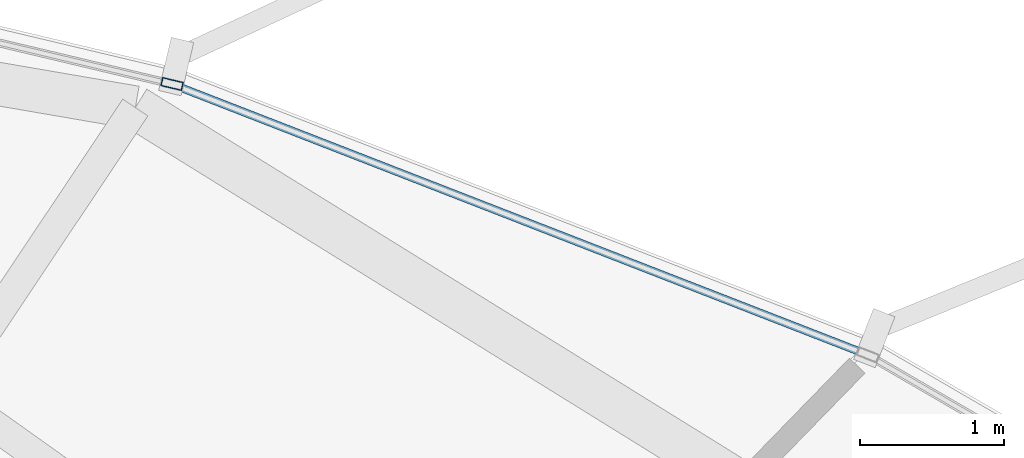
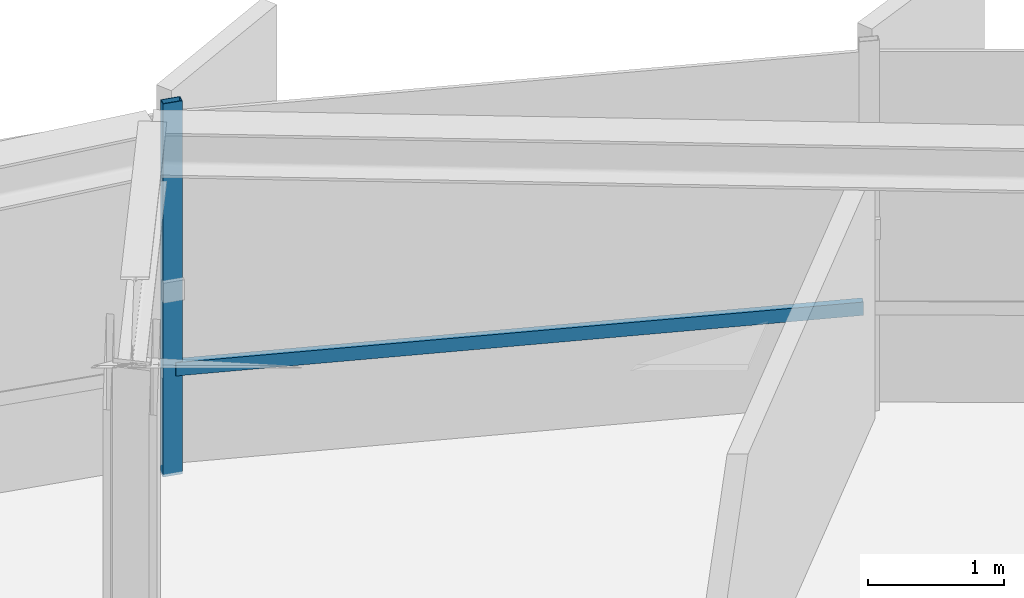
# One storey, part 24 of 35: 2 members, 1 element without a shape of its own.
"""IFC4 building model written with IfcOpenShell, lengths in metres."""

from ifc_helpers import new_model, si_unit, direction, frame, origin, origin_2d, place, context, subcontext, project, spatial, hollow_rectangle, extrude, source, transform, mapped, material, layer, layer_set, material_profile, profile_set, type_object, element, aggregate, save


model = new_model("IFC4")

# Units and contexts
model_context = context("Model", 3, precision=1e-05, world=origin(), true_north=direction((0.0, 1.0)))
body_context = subcontext(model_context, "Body", "Model", "MODEL_VIEW")
ifc_project = project(units=[si_unit("LENGTHUNIT", "METRE"), si_unit("AREAUNIT", "SQUARE_METRE"), si_unit("VOLUMEUNIT", "CUBIC_METRE"), si_unit("PLANEANGLEUNIT", "RADIAN"), si_unit("MASSUNIT", "GRAM", prefix="KILO"), si_unit("THERMODYNAMICTEMPERATUREUNIT", "KELVIN")], contexts=[model_context])

# Site, building, storey
site_placement = place(None, origin())
site = spatial("IfcSite", under=ifc_project, at=site_placement, CompositionType="ELEMENT")
building_placement = place(site_placement, origin())
building = spatial("IfcBuilding", under=site, at=building_placement, Name="Kethvar Cultural Tower", CompositionType="ELEMENT")
storey_placement = place(building_placement, frame((0.0, 0.0, 89.199951171875)))
storey = spatial("IfcBuildingStorey", under=building, at=storey_placement, Name="L21", CompositionType="ELEMENT", Elevation=89.199951171875)

# Curtain wall, members
ifc_material = material(Name="Aluminium 6063-T6", Category="aluminium")
ifc_layer = layer(ifc_material, 0.179931640625, Name="Aluminium 6063-T6", Category="aluminium")
ifc_layer_set = layer_set([ifc_layer], Name="Aluminium 6063-T6 (180 mm)")
curtain_wall_type = type_object("IfcCurtainWallType", Name="CW-SYS-03-Z2", PredefinedType="NOTDEFINED", material=ifc_layer_set)
curtain_wall_placement = place(storey_placement, origin())
curtain_wall = element("IfcCurtainWall", 1, at=curtain_wall_placement, inside=storey, type_object=curtain_wall_type, Name="L21 Curtain Wall Run 01", PredefinedType="NOTDEFINED")
ifc_material_profile_1 = material_profile(ifc_material, hollow_rectangle(XDim=0.06005859375, YDim=0.14990234375, WallThickness=0.0048828125, at=origin_2d()), Name="Aluminium 6063-T6 — RHS150x60x5")
ifc_profile_set_1 = profile_set([ifc_material_profile_1], Name="Aluminium 6063-T6 — RHS150x60x5")
member_type_1 = type_object("IfcMemberType", Name="CW-SYS-03-Z2-MUL", PredefinedType="MULLION", material=ifc_profile_set_1)
shared_shape_1 = source(origin(), body_context, "Body", "SweptSolid", [
    extrude(hollow_rectangle(XDim=0.06005859375, YDim=0.14990234375, WallThickness=0.0048828125, at=origin_2d()), origin(), (0.0, 0.0, 1.0), 3.35009765625),
])
member_1_placement = place(storey_placement, frame((61.97509765625, 50.293212890625, 0.0), z_axis=(0.0, 0.0, 1.0), x_axis=(-0.231306447957, -0.972880941911, 0.0)))
member_1 = element("IfcMember", 2, at=member_1_placement, type_object=member_type_1, Name="CW-L21-R01 Mullion 6", PredefinedType="MULLION", context=body_context, shape_type="MappedRepresentation", body=[
    mapped(shared_shape_1, transform((0.0, 0.0, 0.0), scale=1.0)),
])
ifc_material_profile_2 = material_profile(ifc_material, hollow_rectangle(XDim=0.054931640625, YDim=0.1201171875, WallThickness=0.00390625, at=origin_2d()), Name="Aluminium 6063-T6 — RHS120x55x4")
ifc_profile_set_2 = profile_set([ifc_material_profile_2], Name="Aluminium 6063-T6 — RHS120x55x4")
member_type_2 = type_object("IfcMemberType", Name="CW-SYS-03-Z2-TRN", PredefinedType="USERDEFINED", material=ifc_profile_set_2)
shared_shape_2 = source(origin(), body_context, "Body", "SweptSolid", [
    extrude(hollow_rectangle(XDim=0.054931640625, YDim=0.1201171875, WallThickness=0.00390625, at=origin_2d()), origin(), (0.0, 0.0, 1.0), 5.115966796875),
])
member_2_placement = place(storey_placement, frame((66.76806640625, 48.427490234375, 0.949951171875), z_axis=(-0.931966155901, 0.3625452858, 0.0), x_axis=(-0.3625452858, -0.931966155901, 0.0)))
member_2 = element("IfcMember", 3, at=member_2_placement, type_object=member_type_2, Name="CW-L21-R01 Transom 5", ObjectType="TRANSOM", PredefinedType="USERDEFINED", context=body_context, shape_type="MappedRepresentation", body=[
    mapped(shared_shape_2, transform((0.0, 0.0, 0.0), scale=1.0)),
])
aggregate(curtain_wall, [member_1, member_2])

save(model, "model.ifc")
